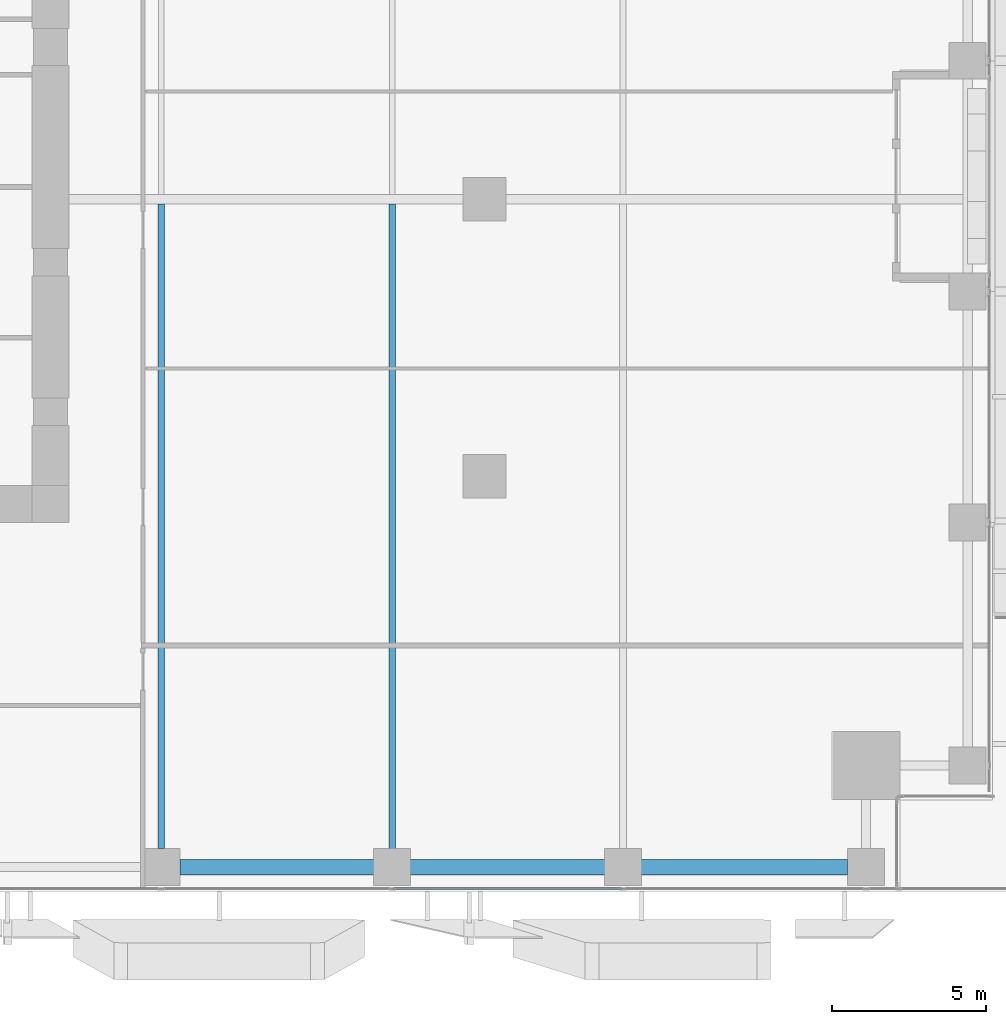
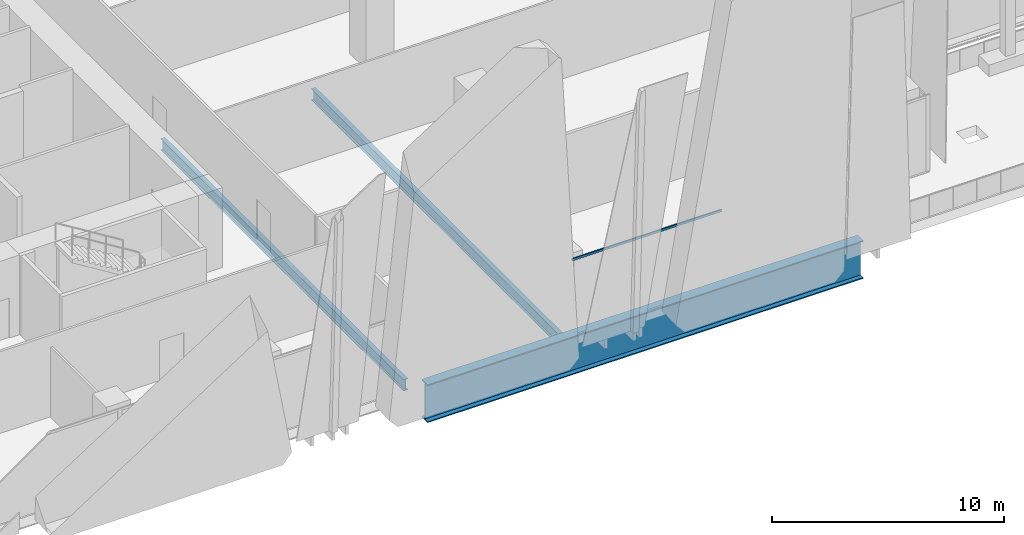
# One storey, part 7 of 46: 3 beams, 1 member, 1 element without a shape of its own.
"""IFC4 building model written with IfcOpenShell, lengths in metres."""

from ifc_helpers import new_model, si_unit, direction, frame, origin, origin_2d, place, context, subcontext, project, spatial, hollow_rectangle, i_section, extrude, source, transform, mapped, material, material_profile, profile_set, type_object, element, aggregate, save


model = new_model("IFC4")

# Units and contexts
model_context = context("Model", 3, precision=1e-05, world=origin(), true_north=direction((0.0, 1.0)))
body_context = subcontext(model_context, "Body", "Model", "MODEL_VIEW")
ifc_project = project(units=[si_unit("LENGTHUNIT", "METRE"), si_unit("AREAUNIT", "SQUARE_METRE"), si_unit("VOLUMEUNIT", "CUBIC_METRE"), si_unit("PLANEANGLEUNIT", "RADIAN"), si_unit("MASSUNIT", "GRAM", prefix="KILO")], contexts=[model_context])

# Site, building, storey
site_placement = place(None, origin())
site = spatial("IfcSite", under=ifc_project, at=site_placement, CompositionType="ELEMENT")
building_placement = place(site_placement, origin())
building = spatial("IfcBuilding", under=site, at=building_placement, Name="Khomas Fold Tower", CompositionType="ELEMENT")
storey_placement = place(building_placement, frame((0.0, 0.0, 33.0)))
storey = spatial("IfcBuildingStorey", under=building, at=storey_placement, Name="L06", CompositionType="ELEMENT", Elevation=33.0)

# Beams
ifc_material_1 = material(Name="Steel S355", Category="steel")
ifc_material_profile_1 = material_profile(ifc_material_1, i_section(OverallWidth=0.219970703125, OverallDepth=0.60009765625, WebThickness=0.011962890625, FlangeThickness=0.01904296875, at=origin_2d()), Name="IPE 600")
ifc_profile_set_1 = profile_set([ifc_material_profile_1], Name="Steel S355")
beam_type_1 = type_object("IfcBeamType", Name="IPE 600 beam JB7", PredefinedType="BEAM", material=ifc_profile_set_1)
shared_shape_1 = source(origin(), body_context, "Body", "SweptSolid", [
    extrude(i_section(OverallWidth=0.219970703125, OverallDepth=0.60009765625, WebThickness=0.011962890625, FlangeThickness=0.01904296875, at=origin_2d()), origin(), (0.0, 0.0, 1.0), 20.9501953125),
])
beam_1_placement = place(storey_placement, frame((27.0, 1.39990234375, -0.800048828125), z_axis=(0.0, 1.0, 0.0), x_axis=(-1.0, 0.0, 0.0)))
element("IfcBeam", 1, at=beam_1_placement, inside=storey, type_object=beam_type_1, Name="JB7", PredefinedType="BEAM", context=body_context, shape_type="MappedRepresentation", body=[
    mapped(shared_shape_1, transform((0.0, 0.0, 0.0))),
])
ifc_material_2 = material(Name="Steel S460M", Category="steel")
ifc_material_profile_2 = material_profile(ifc_material_2, i_section(OverallWidth=0.5, OverallDepth=2.0, WebThickness=0.030029296875, FlangeThickness=0.054931640625, at=origin_2d()), Name="PG 2000x500")
ifc_profile_set_2 = profile_set([ifc_material_profile_2], Name="Steel S460M")
beam_type_2 = type_object("IfcBeamType", Name="PG 2000x500 beam TG3", PredefinedType="BEAM", material=ifc_profile_set_2)
shared_shape_2 = source(origin(), body_context, "Body", "SweptSolid", [
    extrude(i_section(OverallWidth=0.5, OverallDepth=2.0, WebThickness=0.030029296875, FlangeThickness=0.054931640625, at=origin_2d()), origin(), (0.0, 0.0, 1.0), 21.699951171875),
])
beam_2_placement = place(storey_placement, frame((27.60009765625, 0.800048828125, -1.5), z_axis=(1.0, 0.0, 0.0), x_axis=(0.0, 1.0, 0.0)))
element("IfcBeam", 2, at=beam_2_placement, inside=storey, type_object=beam_type_2, Name="TG3", PredefinedType="BEAM", context=body_context, shape_type="MappedRepresentation", body=[
    mapped(shared_shape_2, transform((0.0, 0.0, 0.0))),
])
shared_shape_3 = source(origin(), body_context, "Body", "SweptSolid", [
    extrude(i_section(OverallWidth=0.219970703125, OverallDepth=0.60009765625, WebThickness=0.011962890625, FlangeThickness=0.01904296875, at=origin_2d()), origin(), (0.0, 0.0, 1.0), 21.300048828125),
])
beam_3_placement = place(storey_placement, frame((34.5, 1.050048828125, -0.800048828125), z_axis=(0.0, 1.0, 0.0), x_axis=(-1.0, 0.0, 0.0)))
element("IfcBeam", 3, at=beam_3_placement, inside=storey, type_object=beam_type_1, Name="JB7", PredefinedType="BEAM", context=body_context, shape_type="MappedRepresentation", body=[
    mapped(shared_shape_3, transform((0.0, 0.0, 0.0))),
])

# Curtain wall, member
ifc_material_3 = material(Name="Aluminium framed double glazing", Category="aluminium")
curtain_wall_type = type_object("IfcCurtainWallType", Name="SK-Unitised clear-glass wall, growing floors CW1", PredefinedType="NOTDEFINED", material=ifc_material_3)
curtain_wall_placement = place(storey_placement, origin())
curtain_wall = element("IfcCurtainWall", 4, at=curtain_wall_placement, inside=storey, type_object=curtain_wall_type, Name="CW1 run L06 00-0", PredefinedType="NOTDEFINED")
ifc_material_4 = material(Name="Aluminium", Category="aluminium")
ifc_material_profile_3 = material_profile(ifc_material_4, hollow_rectangle(XDim=0.06005859375, YDim=0.1201171875, WallThickness=0.00390625, at=origin_2d()), Name="SK-Unitised clear-glass wall, growing floors transom CW1-T")
ifc_profile_set_3 = profile_set([ifc_material_profile_3], Name="Aluminium")
member_type = type_object("IfcMemberType", Name="SK-Unitised clear-glass wall, growing floors transom CW1-T", PredefinedType="USERDEFINED", material=ifc_profile_set_3)
shared_shape_4 = source(origin(), body_context, "Body", "SweptSolid", [
    extrude(hollow_rectangle(XDim=0.06005859375, YDim=0.1201171875, WallThickness=0.00390625, at=origin_2d()), origin(), (0.0, 0.0, 1.0), 7.43994140625),
])
member_placement = place(storey_placement, frame((34.530029296875, 0.10009765625, 3.93994140625), z_axis=(1.0, 0.0, 0.0), x_axis=(0.0, 1.0, 0.0)))
member = element("IfcMember", 5, at=member_placement, type_object=member_type, Name="CW1 transom 6", ObjectType="TRANSOM", PredefinedType="USERDEFINED", context=body_context, shape_type="MappedRepresentation", body=[
    mapped(shared_shape_4, transform((0.0, 0.0, 0.0))),
])
aggregate(curtain_wall, [member])

save(model, "model.ifc")
